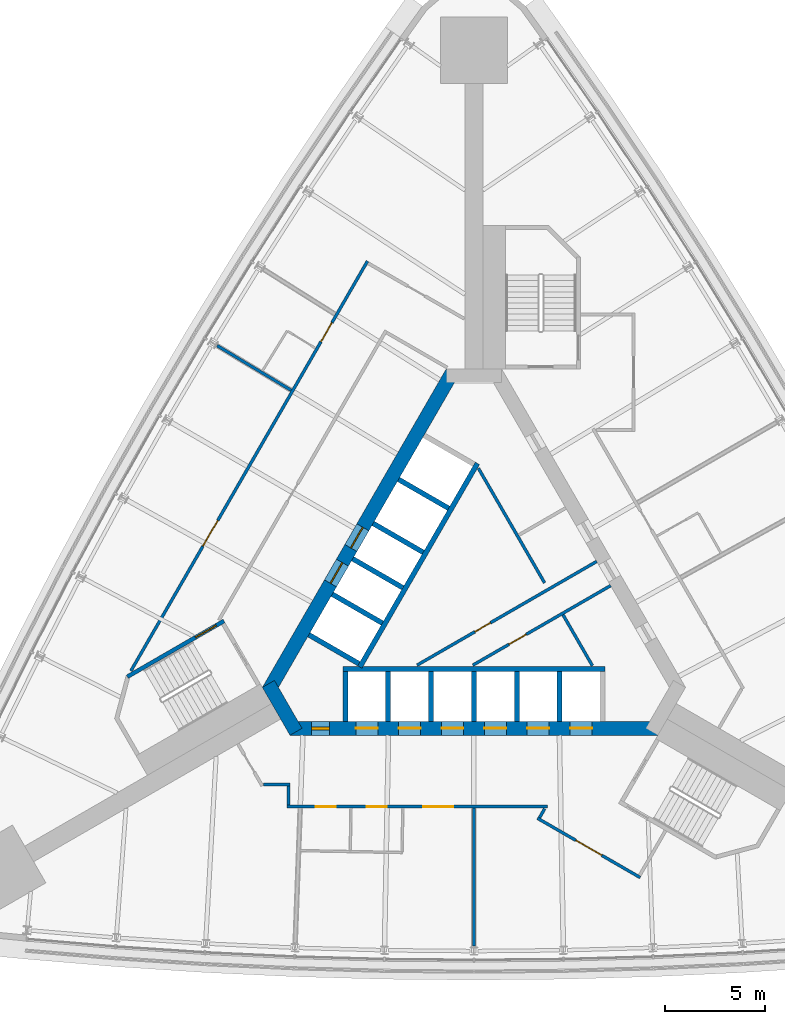
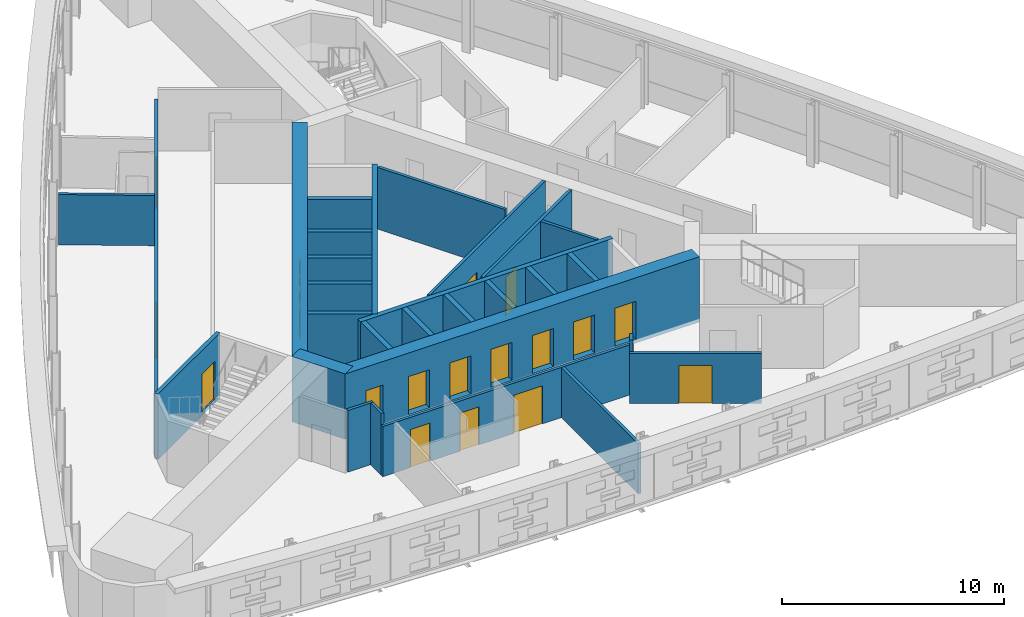
# One storey, part 10 of 14: 29 walls, 18 doors, 18 openings.
"""IFC4 building model written with IfcOpenShell, lengths in metres."""

from ifc_helpers import new_model, si_unit, direction, frame, frame_2d, origin, place, context, subcontext, project, spatial, rectangle, extrude, material, layer, layer_set, type_object, element, fill, save


model = new_model("IFC4")

# Units and contexts
model_context = context("Model", 3, precision=1e-05, world=origin(), true_north=direction((0.0, 1.0)))
body_context = subcontext(model_context, "Body", "Model", "MODEL_VIEW")
ifc_project = project(units=[si_unit("LENGTHUNIT", "METRE"), si_unit("AREAUNIT", "SQUARE_METRE"), si_unit("VOLUMEUNIT", "CUBIC_METRE"), si_unit("PLANEANGLEUNIT", "RADIAN"), si_unit("MASSUNIT", "GRAM", prefix="KILO")], contexts=[model_context])

# Site, building, storey
site_placement = place(None, origin())
site = spatial("IfcSite", under=ifc_project, at=site_placement, CompositionType="ELEMENT")
building_placement = place(site_placement, origin())
building = spatial("IfcBuilding", under=site, at=building_placement, Name="Noor Cloister Tower", CompositionType="ELEMENT")
storey_placement = place(building_placement, frame((0.0, 0.0, 38.39990234375)))
storey = spatial("IfcBuildingStorey", under=building, at=storey_placement, Name="L09", CompositionType="ELEMENT", Elevation=38.39990234375)

# Wall, opening, door
ifc_material_1 = material(Name="Concrete C30/37", Category="concrete")
ifc_layer_1 = layer(ifc_material_1, 0.14990234375)
ifc_layer_set_1 = layer_set([ifc_layer_1], Name="Core partition 150 C30/37")
wall_type_1 = type_object("IfcWallType", Name="Core partition 150 C30/37", PredefinedType="PARTITIONING", material=ifc_layer_set_1)
wall_1_placement = place(storey_placement, frame((-2.8544921875, -3.4130859375, 0.0), z_axis=(0.0, 0.0, 1.0), x_axis=(0.866030102318, 0.499991861813, 0.0)))
wall_1 = element("IfcWall", 1, at=wall_1_placement, inside=storey, type_object=wall_type_1, Name="Core room partition L09 1", PredefinedType="PARTITIONING", context=body_context, shape_type="SweptSolid", body=[
    extrude(rectangle(XDim=10.406982421875, YDim=0.14990234375, at=frame_2d((5.20361328125, 0.0))), origin(), (0.0, 0.0, 1.0), 3.400146484375),
])
opening_1_placement = place(wall_1_placement, frame((3.3544921875, 0.0, 0.0)))
opening_1 = element("IfcOpeningElement", 2, at=opening_1_placement, cuts=wall_1, Name="Opening L09-906", PredefinedType="OPENING", context=body_context, shape_type="SweptSolid", body=[
    extrude(rectangle(XDim=0.89990234375, YDim=2.10009765625, at=frame_2d((0.449951171875, 1.050048828125))), frame((0.0, 0.0849609375, 0.0), z_axis=(0.0, -1.0, 0.0), x_axis=(1.0, 0.0, 0.0)), (0.0, 0.0, 1.0), 0.169921875),
])
ifc_material_2 = material(Name="Steel", Category="steel")
door_type_1 = type_object("IfcDoorType", Name="Core door 900 x 2100 FD120", OperationType="SINGLE_SWING_LEFT", PredefinedType="DOOR", material=ifc_material_2)
door_1_placement = place(opening_1_placement, origin())
door_1 = element("IfcDoor", 3, at=door_1_placement, inside=storey, type_object=door_type_1, Name="Core door 6 L09", OperationType="SINGLE_SWING_RIGHT", OverallHeight=2.10009765625, OverallWidth=0.89990234375, PredefinedType="DOOR", context=body_context, shape_type="SweptSolid", body=[
    extrude(rectangle(XDim=0.89990234375, YDim=2.10009765625, at=frame_2d((0.449951171875, 1.050048828125))), frame((0.0, 0.02490234375, 0.0), z_axis=(0.0, -1.0, 0.0), x_axis=(1.0, 0.0, 0.0)), (0.0, 0.0, 1.0), 0.050048828125),
])
fill(opening_1, door_1)

# Wall
wall_2_placement = place(storey_placement, frame((5.944091796875, -3.439208984375, 0.0), z_axis=(0.0, 0.0, 1.0), x_axis=(-0.499997367627, 0.86602692358, 0.0)))
element("IfcWall", 4, at=wall_2_placement, inside=storey, type_object=wall_type_1, Name="Core room partition L09 2", PredefinedType="PARTITIONING", context=body_context, shape_type="SweptSolid", body=[
    extrude(rectangle(XDim=2.94677734375, YDim=0.14990234375, at=frame_2d((1.473388671875, 0.0))), origin(), (0.0, 0.0, 1.0), 3.400146484375),
])

# Wall, opening, door
wall_3_placement = place(storey_placement, frame((-0.054443359375, -3.4130859375, 0.0), z_axis=(0.0, 0.0, 1.0), x_axis=(0.866026668906, 0.499997808738, 0.0)))
wall_3 = element("IfcWall", 5, at=wall_3_placement, inside=storey, type_object=wall_type_1, Name="Core room partition L09 3", PredefinedType="PARTITIONING", context=body_context, shape_type="SweptSolid", body=[
    extrude(rectangle(XDim=7.98193359375, YDim=0.14990234375, at=frame_2d((3.990966796875, 0.0))), origin(), (0.0, 0.0, 1.0), 3.400146484375),
])
opening_2_placement = place(wall_3_placement, frame((2.092041015625, 0.0, 0.0)))
opening_2 = element("IfcOpeningElement", 6, at=opening_2_placement, cuts=wall_3, Name="Opening L09-905", PredefinedType="OPENING", context=body_context, shape_type="SweptSolid", body=[
    extrude(rectangle(XDim=1.0, YDim=2.10009765625, at=frame_2d((0.5, 1.050048828125))), frame((0.0, 0.0849609375, 0.0), z_axis=(0.0, -1.0, 0.0), x_axis=(1.0, 0.0, 0.0)), (0.0, 0.0, 1.0), 0.169921875),
])
ifc_material_3 = material(Name="Steel", Category="steel")
door_type_2 = type_object("IfcDoorType", Name="Core door 1000 x 2100 FD60", OperationType="SINGLE_SWING_LEFT", PredefinedType="DOOR", material=ifc_material_3)
door_2_placement = place(opening_2_placement, origin())
door_2 = element("IfcDoor", 7, at=door_2_placement, inside=storey, type_object=door_type_2, Name="Core door 5 L09", OperationType="SINGLE_SWING_LEFT", OverallHeight=2.10009765625, OverallWidth=1.0, PredefinedType="DOOR", context=body_context, shape_type="SweptSolid", body=[
    extrude(rectangle(XDim=1.0, YDim=2.10009765625, at=frame_2d((0.5, 1.050048828125))), frame((0.0, 0.02490234375, 0.0), z_axis=(0.0, -1.0, 0.0), x_axis=(1.0, 0.0, 0.0)), (0.0, 0.0, 1.0), 0.050048828125),
])
fill(opening_2, door_2)

# Wall
wall_4_placement = place(storey_placement, frame((3.5458984375, 0.715087890625, 0.0), z_axis=(0.0, 0.0, 1.0), x_axis=(-0.50002895357, 0.866008686788, 0.0)))
element("IfcWall", 8, at=wall_4_placement, inside=storey, type_object=wall_type_1, Name="Core room partition L09 4", PredefinedType="PARTITIONING", context=body_context, shape_type="SweptSolid", body=[
    extrude(rectangle(XDim=6.64208984375, YDim=0.14990234375, at=frame_2d((3.321044921875, 0.0))), origin(), (0.0, 0.0, 1.0), 3.400146484375),
])

# Wall, openings, doors
ifc_material_4 = material(Name="Concrete C80/95", Category="concrete")
ifc_layer_2 = layer(ifc_material_4, 0.699951171875)
ifc_layer_set_2 = layer_set([ifc_layer_2], Name="Core wall 700 C80/95")
wall_type_2 = type_object("IfcWallType", Name="Core wall 700 C80/95", PredefinedType="SHEAR", material=ifc_layer_set_2)
wall_5_placement = place(storey_placement, frame((-9.228759765625, -6.578125, -0.199951171875), z_axis=(0.0, 0.0, 1.0), x_axis=(1.0, 0.0, 0.0)))
wall_5 = element("IfcWall", 9, at=wall_5_placement, inside=storey, type_object=wall_type_2, Name="Core wall L09 1", PredefinedType="SHEAR", context=body_context, shape_type="SweptSolid", body=[
    extrude(rectangle(XDim=18.45751953125, YDim=0.699951171875, at=frame_2d((9.228759765625, 0.0))), origin(), (0.0, 0.0, 1.0), 3.60009765625),
])
opening_3_placement = place(wall_5_placement, frame((3.3037109375, 0.0, 0.199951171875)))
opening_3 = element("IfcOpeningElement", 10, at=opening_3_placement, cuts=wall_5, Name="Opening L09-LR1", PredefinedType="OPENING", context=body_context, shape_type="SweptSolid", body=[
    extrude(rectangle(XDim=1.10009765625, YDim=2.10009765625, at=frame_2d((0.550048828125, 1.050048828125))), frame((0.0, 0.35986328125, 0.0), z_axis=(0.0, -1.0, 0.0), x_axis=(1.0, 0.0, 0.0)), (0.0, 0.0, 1.0), 0.719970703125),
])
opening_4_placement = place(wall_5_placement, frame((5.45361328125, 0.0, 0.199951171875)))
opening_4 = element("IfcOpeningElement", 11, at=opening_4_placement, cuts=wall_5, Name="Opening L09-LR2", PredefinedType="OPENING", context=body_context, shape_type="SweptSolid", body=[
    extrude(rectangle(XDim=1.10009765625, YDim=2.10009765625, at=frame_2d((0.550048828125, 1.050048828125))), frame((0.0, 0.35986328125, 0.0), z_axis=(0.0, -1.0, 0.0), x_axis=(1.0, 0.0, 0.0)), (0.0, 0.0, 1.0), 0.719970703125),
])
opening_5_placement = place(wall_5_placement, frame((7.603759765625, 0.0, 0.199951171875)))
opening_5 = element("IfcOpeningElement", 12, at=opening_5_placement, cuts=wall_5, Name="Opening L09-LR3", PredefinedType="OPENING", context=body_context, shape_type="SweptSolid", body=[
    extrude(rectangle(XDim=1.10009765625, YDim=2.10009765625, at=frame_2d((0.550048828125, 1.050048828125))), frame((0.0, 0.35986328125, 0.0), z_axis=(0.0, -1.0, 0.0), x_axis=(1.0, 0.0, 0.0)), (0.0, 0.0, 1.0), 0.719970703125),
])
opening_6_placement = place(wall_5_placement, frame((9.753662109375, 0.0, 0.199951171875)))
opening_6 = element("IfcOpeningElement", 13, at=opening_6_placement, cuts=wall_5, Name="Opening L09-LR4", PredefinedType="OPENING", context=body_context, shape_type="SweptSolid", body=[
    extrude(rectangle(XDim=1.10009765625, YDim=2.10009765625, at=frame_2d((0.550048828125, 1.050048828125))), frame((0.0, 0.35986328125, 0.0), z_axis=(0.0, -1.0, 0.0), x_axis=(1.0, 0.0, 0.0)), (0.0, 0.0, 1.0), 0.719970703125),
])
opening_7_placement = place(wall_5_placement, frame((11.90380859375, 0.0, 0.199951171875)))
opening_7 = element("IfcOpeningElement", 14, at=opening_7_placement, cuts=wall_5, Name="Opening L09-LR5", PredefinedType="OPENING", context=body_context, shape_type="SweptSolid", body=[
    extrude(rectangle(XDim=1.10009765625, YDim=2.10009765625, at=frame_2d((0.550048828125, 1.050048828125))), frame((0.0, 0.35986328125, 0.0), z_axis=(0.0, -1.0, 0.0), x_axis=(1.0, 0.0, 0.0)), (0.0, 0.0, 1.0), 0.719970703125),
])
opening_8_placement = place(wall_5_placement, frame((14.0537109375, 0.0, 0.199951171875)))
opening_8 = element("IfcOpeningElement", 15, at=opening_8_placement, cuts=wall_5, Name="Opening L09-LR6", PredefinedType="OPENING", context=body_context, shape_type="SweptSolid", body=[
    extrude(rectangle(XDim=1.10009765625, YDim=2.10009765625, at=frame_2d((0.550048828125, 1.050048828125))), frame((0.0, 0.35986328125, 0.0), z_axis=(0.0, -1.0, 0.0), x_axis=(1.0, 0.0, 0.0)), (0.0, 0.0, 1.0), 0.719970703125),
])
opening_9_placement = place(wall_5_placement, frame((1.078857421875, 0.0, 0.199951171875)))
opening_9 = element("IfcOpeningElement", 16, at=opening_9_placement, cuts=wall_5, Name="Opening L09-907", PredefinedType="OPENING", context=body_context, shape_type="SweptSolid", body=[
    extrude(rectangle(XDim=0.89990234375, YDim=2.10009765625, at=frame_2d((0.449951171875, 1.050048828125))), frame((0.0, 0.35986328125, 0.0), z_axis=(0.0, -1.0, 0.0), x_axis=(1.0, 0.0, 0.0)), (0.0, 0.0, 1.0), 0.719970703125),
])
ifc_material_5 = material(Name="Steel", Category="steel")
door_type_3 = type_object("IfcDoorType", Name="Core door 900 x 2100 FD60", OperationType="SINGLE_SWING_LEFT", PredefinedType="DOOR", material=ifc_material_5)
door_3_placement = place(opening_9_placement, origin())
door_3 = element("IfcDoor", 17, at=door_3_placement, inside=storey, type_object=door_type_3, Name="Core door 7 L09", OperationType="SINGLE_SWING_LEFT", OverallHeight=2.10009765625, OverallWidth=0.89990234375, PredefinedType="DOOR", context=body_context, shape_type="SweptSolid", body=[
    extrude(rectangle(XDim=0.89990234375, YDim=2.10009765625, at=frame_2d((0.449951171875, 1.050048828125))), frame((0.0, 0.074951171875, 0.0), z_axis=(0.0, -1.0, 0.0), x_axis=(1.0, 0.0, 0.0)), (0.0, 0.0, 1.0), 0.14990234375),
])
fill(opening_9, door_3)
ifc_material_6 = material(Name="Stainless steel", Category="steel")
door_type_4 = type_object("IfcDoorType", Name="Lift landing door 1100 x 2100", OperationType="DOUBLE_DOOR_SLIDING", PredefinedType="DOOR", material=ifc_material_6)
door_4_placement = place(opening_3_placement, origin())
door_4 = element("IfcDoor", 18, at=door_4_placement, inside=storey, type_object=door_type_4, Name="Landing door LR1 L09", OperationType="DOUBLE_DOOR_SLIDING", OverallHeight=2.10009765625, OverallWidth=1.10009765625, PredefinedType="DOOR", context=body_context, shape_type="SweptSolid", body=[
    extrude(rectangle(XDim=1.10009765625, YDim=2.10009765625, at=frame_2d((0.550048828125, 1.050048828125))), frame((0.0, 0.02490234375, 0.0), z_axis=(0.0, -1.0, 0.0), x_axis=(1.0, 0.0, 0.0)), (0.0, 0.0, 1.0), 0.050048828125),
])
fill(opening_3, door_4)
door_5_placement = place(opening_4_placement, origin())
door_5 = element("IfcDoor", 19, at=door_5_placement, inside=storey, type_object=door_type_4, Name="Landing door LR2 L09", OperationType="DOUBLE_DOOR_SLIDING", OverallHeight=2.10009765625, OverallWidth=1.10009765625, PredefinedType="DOOR", context=body_context, shape_type="SweptSolid", body=[
    extrude(rectangle(XDim=1.10009765625, YDim=2.10009765625, at=frame_2d((0.550048828125, 1.050048828125))), frame((0.0, 0.02490234375, 0.0), z_axis=(0.0, -1.0, 0.0), x_axis=(1.0, 0.0, 0.0)), (0.0, 0.0, 1.0), 0.050048828125),
])
fill(opening_4, door_5)
door_6_placement = place(opening_5_placement, origin())
door_6 = element("IfcDoor", 20, at=door_6_placement, inside=storey, type_object=door_type_4, Name="Landing door LR3 L09", OperationType="DOUBLE_DOOR_SLIDING", OverallHeight=2.10009765625, OverallWidth=1.10009765625, PredefinedType="DOOR", context=body_context, shape_type="SweptSolid", body=[
    extrude(rectangle(XDim=1.10009765625, YDim=2.10009765625, at=frame_2d((0.550048828125, 1.050048828125))), frame((0.0, 0.02490234375, 0.0), z_axis=(0.0, -1.0, 0.0), x_axis=(1.0, 0.0, 0.0)), (0.0, 0.0, 1.0), 0.050048828125),
])
fill(opening_5, door_6)
door_7_placement = place(opening_6_placement, origin())
door_7 = element("IfcDoor", 21, at=door_7_placement, inside=storey, type_object=door_type_4, Name="Landing door LR4 L09", OperationType="DOUBLE_DOOR_SLIDING", OverallHeight=2.10009765625, OverallWidth=1.10009765625, PredefinedType="DOOR", context=body_context, shape_type="SweptSolid", body=[
    extrude(rectangle(XDim=1.10009765625, YDim=2.10009765625, at=frame_2d((0.550048828125, 1.050048828125))), frame((0.0, 0.02490234375, 0.0), z_axis=(0.0, -1.0, 0.0), x_axis=(1.0, 0.0, 0.0)), (0.0, 0.0, 1.0), 0.050048828125),
])
fill(opening_6, door_7)
door_8_placement = place(opening_7_placement, origin())
door_8 = element("IfcDoor", 22, at=door_8_placement, inside=storey, type_object=door_type_4, Name="Landing door LR5 L09", OperationType="DOUBLE_DOOR_SLIDING", OverallHeight=2.10009765625, OverallWidth=1.10009765625, PredefinedType="DOOR", context=body_context, shape_type="SweptSolid", body=[
    extrude(rectangle(XDim=1.10009765625, YDim=2.10009765625, at=frame_2d((0.550048828125, 1.050048828125))), frame((0.0, 0.02490234375, 0.0), z_axis=(0.0, -1.0, 0.0), x_axis=(1.0, 0.0, 0.0)), (0.0, 0.0, 1.0), 0.050048828125),
])
fill(opening_7, door_8)
door_9_placement = place(opening_8_placement, origin())
door_9 = element("IfcDoor", 23, at=door_9_placement, inside=storey, type_object=door_type_4, Name="Landing door LR6 L09", OperationType="DOUBLE_DOOR_SLIDING", OverallHeight=2.10009765625, OverallWidth=1.10009765625, PredefinedType="DOOR", context=body_context, shape_type="SweptSolid", body=[
    extrude(rectangle(XDim=1.10009765625, YDim=2.10009765625, at=frame_2d((0.550048828125, 1.050048828125))), frame((0.0, 0.02490234375, 0.0), z_axis=(0.0, -1.0, 0.0), x_axis=(1.0, 0.0, 0.0)), (0.0, 0.0, 1.0), 0.050048828125),
])
fill(opening_8, door_9)

wall_6_placement = place(storey_placement, frame((-1.08251953125, 11.281494140625, -0.199951171875), z_axis=(0.0, 0.0, 1.0), x_axis=(-0.500001446645, -0.866024568562, 0.0)))
wall_6 = element("IfcWall", 24, at=wall_6_placement, inside=storey, type_object=wall_type_2, Name="Core wall L09 5", PredefinedType="SHEAR", context=body_context, shape_type="SweptSolid", body=[
    extrude(rectangle(XDim=18.45751953125, YDim=0.699951171875, at=frame_2d((9.228759765625, 0.0))), origin(), (0.0, 0.0, 1.0), 3.60009765625),
])
opening_10_placement = place(wall_6_placement, frame((8.978759765625, 0.0, 0.199951171875)))
opening_10 = element("IfcOpeningElement", 25, at=opening_10_placement, cuts=wall_6, Name="Opening L09-FF1", PredefinedType="OPENING", context=body_context, shape_type="SweptSolid", body=[
    extrude(rectangle(XDim=1.199951171875, YDim=2.10009765625, at=frame_2d((0.60009765625, 1.050048828125))), frame((0.0, 0.35986328125, 0.0), z_axis=(0.0, -1.0, 0.0), x_axis=(1.0, 0.0, 0.0)), (0.0, 0.0, 1.0), 0.719970703125),
])
opening_11_placement = place(wall_6_placement, frame((11.02880859375, 0.0, 0.199951171875)))
opening_11 = element("IfcOpeningElement", 26, at=opening_11_placement, cuts=wall_6, Name="Opening L09-FF2", PredefinedType="OPENING", context=body_context, shape_type="SweptSolid", body=[
    extrude(rectangle(XDim=1.199951171875, YDim=2.10009765625, at=frame_2d((0.60009765625, 1.050048828125))), frame((0.0, 0.35986328125, 0.0), z_axis=(0.0, -1.0, 0.0), x_axis=(1.0, 0.0, 0.0)), (0.0, 0.0, 1.0), 0.719970703125),
])
ifc_material_7 = material(Name="Stainless steel", Category="steel")
door_type_5 = type_object("IfcDoorType", Name="Lift landing door 1200 x 2100", OperationType="DOUBLE_DOOR_SLIDING", PredefinedType="DOOR", material=ifc_material_7)
door_10_placement = place(opening_10_placement, origin())
door_10 = element("IfcDoor", 27, at=door_10_placement, inside=storey, type_object=door_type_5, Name="Landing door FF1 L09", OperationType="DOUBLE_DOOR_SLIDING", OverallHeight=2.10009765625, OverallWidth=1.199951171875, PredefinedType="DOOR", context=body_context, shape_type="SweptSolid", body=[
    extrude(rectangle(XDim=1.199951171875, YDim=2.10009765625, at=frame_2d((0.60009765625, 1.050048828125))), frame((0.0, 0.02490234375, 0.0), z_axis=(0.0, -1.0, 0.0), x_axis=(1.0, 0.0, 0.0)), (0.0, 0.0, 1.0), 0.050048828125),
])
fill(opening_10, door_10)
door_11_placement = place(opening_11_placement, origin())
door_11 = element("IfcDoor", 28, at=door_11_placement, inside=storey, type_object=door_type_5, Name="Landing door FF2 L09", OperationType="DOUBLE_DOOR_SLIDING", OverallHeight=2.10009765625, OverallWidth=1.199951171875, PredefinedType="DOOR", context=body_context, shape_type="SweptSolid", body=[
    extrude(rectangle(XDim=1.199951171875, YDim=2.10009765625, at=frame_2d((0.60009765625, 1.050048828125))), frame((0.0, 0.02490234375, 0.0), z_axis=(0.0, -1.0, 0.0), x_axis=(1.0, 0.0, 0.0)), (0.0, 0.0, 1.0), 0.050048828125),
])
fill(opening_11, door_11)

# Wall
wall_7_placement = place(storey_placement, frame((-10.311279296875, -4.353271484375, -0.199951171875), z_axis=(0.0, 0.0, 1.0), x_axis=(0.500042739161, -0.866000726912, 0.0)))
element("IfcWall", 29, at=wall_7_placement, inside=storey, type_object=wall_type_2, Name="Core wall L09 6", PredefinedType="SHEAR", context=body_context, shape_type="SweptSolid", body=[
    extrude(rectangle(XDim=2.771240234375, YDim=0.699951171875, at=frame_2d((1.3857421875, 0.0))), origin(), (0.0, 0.0, 1.0), 3.60009765625),
])

# Wall, openings, doors
ifc_material_8 = material(Name="Gypsum board partition on steel studs, 150 mm", Category="steel")
ifc_layer_3 = layer(ifc_material_8, 0.14990234375)
ifc_layer_set_3 = layer_set([ifc_layer_3], Name="Flat wall 150")
wall_type_3 = type_object("IfcWallType", Name="Flat wall 150", PredefinedType="PARTITIONING", material=ifc_layer_set_3)
wall_8_placement = place(storey_placement, frame((-17.208251953125, -3.69921875, 0.0), z_axis=(0.0, 0.0, 1.0), x_axis=(0.499997567621, 0.866026808115, 0.0)))
wall_8 = element("IfcWall", 30, at=wall_8_placement, inside=storey, type_object=wall_type_3, Name="Flat wall 150 L09 001", PredefinedType="PARTITIONING", context=body_context, shape_type="SweptSolid", body=[
    extrude(rectangle(XDim=23.736328125, YDim=0.14990234375, at=frame_2d((11.8681640625, 0.0))), origin(), (0.0, 0.0, 1.0), 2.76806640625),
])
opening_12_placement = place(wall_8_placement, frame((19.069580078125, 0.0, 0.0)))
opening_12 = element("IfcOpeningElement", 31, at=opening_12_placement, cuts=wall_8, Name="Opening L09-001", PredefinedType="OPENING", context=body_context, shape_type="SweptSolid", body=[
    extrude(rectangle(XDim=1.10009765625, YDim=2.10009765625, at=frame_2d((0.550048828125, 1.050048828125))), frame((0.0, 0.0849609375, 0.0), z_axis=(0.0, -1.0, 0.0), x_axis=(1.0, 0.0, 0.0)), (0.0, 0.0, 1.0), 0.169921875),
])
opening_13_placement = place(wall_8_placement, frame((7.224853515625, 0.0, 0.0)))
opening_13 = element("IfcOpeningElement", 32, at=opening_13_placement, cuts=wall_8, Name="Opening L09-002", PredefinedType="OPENING", context=body_context, shape_type="SweptSolid", body=[
    extrude(rectangle(XDim=1.5, YDim=2.10009765625, at=frame_2d((0.75, 1.050048828125))), frame((0.0, 0.0849609375, 0.0), z_axis=(0.0, -1.0, 0.0), x_axis=(1.0, 0.0, 0.0)), (0.0, 0.0, 1.0), 0.169921875),
])
ifc_material_9 = material(Name="Timber door leaf with steel frame", Category="steel")
door_type_6 = type_object("IfcDoorType", Name="Double door 1500 FD60", OperationType="NOTDEFINED", PredefinedType="DOOR", material=ifc_material_9)
door_12_placement = place(opening_13_placement, origin())
door_12 = element("IfcDoor", 33, at=door_12_placement, inside=storey, type_object=door_type_6, Name="Double door 1500 L09-002", OperationType="DOUBLE_DOOR_SINGLE_SWING", OverallHeight=2.10009765625, OverallWidth=1.5, PredefinedType="DOOR", context=body_context, shape_type="SweptSolid", body=[
    extrude(rectangle(XDim=1.5, YDim=2.10009765625, at=frame_2d((0.75, 1.050048828125))), frame((0.0, 0.02490234375, 0.0), z_axis=(0.0, -1.0, 0.0), x_axis=(1.0, 0.0, 0.0)), (0.0, 0.0, 1.0), 0.050048828125),
])
fill(opening_13, door_12)
ifc_material_10 = material(Name="Timber door leaf with steel frame", Category="steel")
door_type_7 = type_object("IfcDoorType", Name="Resident room door 1100", OperationType="NOTDEFINED", PredefinedType="DOOR", material=ifc_material_10)
door_13_placement = place(opening_12_placement, origin())
door_13 = element("IfcDoor", 34, at=door_13_placement, inside=storey, type_object=door_type_7, Name="Resident room door 1100 L09-001", OperationType="SINGLE_SWING_RIGHT", OverallHeight=2.10009765625, OverallWidth=1.10009765625, PredefinedType="DOOR", context=body_context, shape_type="SweptSolid", body=[
    extrude(rectangle(XDim=1.10009765625, YDim=2.10009765625, at=frame_2d((0.550048828125, 1.050048828125))), frame((0.0, 0.02490234375, 0.0), z_axis=(0.0, -1.0, 0.0), x_axis=(1.0, 0.0, 0.0)), (0.0, 0.0, 1.0), 0.050048828125),
])
fill(opening_12, door_13)

wall_9_placement = place(storey_placement, frame((3.68896484375, -10.503173828125, 0.0), z_axis=(0.0, 0.0, 1.0), x_axis=(-1.0, 0.0, 0.0)))
wall_9 = element("IfcWall", 35, at=wall_9_placement, inside=storey, type_object=wall_type_3, Name="Flat wall 150 L09 004", PredefinedType="PARTITIONING", context=body_context, shape_type="SweptSolid", body=[
    extrude(rectangle(XDim=13.067626953125, YDim=0.14990234375, at=frame_2d((6.53369140625, 0.0))), origin(), (0.0, 0.0, 1.0), 2.76806640625),
])
opening_14_placement = place(wall_9_placement, frame((10.61669921875, 0.0, 0.0)))
opening_14 = element("IfcOpeningElement", 36, at=opening_14_placement, cuts=wall_9, Name="Opening L09-006", PredefinedType="OPENING", context=body_context, shape_type="SweptSolid", body=[
    extrude(rectangle(XDim=1.0, YDim=2.10009765625, at=frame_2d((0.5, 1.050048828125))), frame((0.0, 0.0849609375, 0.0), z_axis=(0.0, -1.0, 0.0), x_axis=(1.0, 0.0, 0.0)), (0.0, 0.0, 1.0), 0.169921875),
])
opening_15_placement = place(wall_9_placement, frame((8.054443359375, 0.0, 0.0)))
opening_15 = element("IfcOpeningElement", 37, at=opening_15_placement, cuts=wall_9, Name="Opening L09-007", PredefinedType="OPENING", context=body_context, shape_type="SweptSolid", body=[
    extrude(rectangle(XDim=1.0, YDim=2.10009765625, at=frame_2d((0.5, 1.050048828125))), frame((0.0, 0.0849609375, 0.0), z_axis=(0.0, -1.0, 0.0), x_axis=(1.0, 0.0, 0.0)), (0.0, 0.0, 1.0), 0.169921875),
])
opening_16_placement = place(wall_9_placement, frame((4.734130859375, 0.0, 0.0)))
opening_16 = element("IfcOpeningElement", 38, at=opening_16_placement, cuts=wall_9, Name="Opening L09-008", PredefinedType="OPENING", context=body_context, shape_type="SweptSolid", body=[
    extrude(rectangle(XDim=1.5, YDim=2.10009765625, at=frame_2d((0.75, 1.050048828125))), frame((0.0, 0.0849609375, 0.0), z_axis=(0.0, -1.0, 0.0), x_axis=(1.0, 0.0, 0.0)), (0.0, 0.0, 1.0), 0.169921875),
])
ifc_material_11 = material(Name="Timber door leaf with steel frame", Category="steel")
door_type_8 = type_object("IfcDoorType", Name="Accessible WC door 1000", OperationType="NOTDEFINED", PredefinedType="DOOR", material=ifc_material_11)
door_14_placement = place(opening_14_placement, origin())
door_14 = element("IfcDoor", 39, at=door_14_placement, inside=storey, type_object=door_type_8, Name="Accessible WC door 1000 L09-006", OperationType="SINGLE_SWING_RIGHT", OverallHeight=2.10009765625, OverallWidth=1.0, PredefinedType="DOOR", context=body_context, shape_type="SweptSolid", body=[
    extrude(rectangle(XDim=1.0, YDim=2.10009765625, at=frame_2d((0.5, 1.050048828125))), frame((0.0, 0.02490234375, 0.0), z_axis=(0.0, -1.0, 0.0), x_axis=(1.0, 0.0, 0.0)), (0.0, 0.0, 1.0), 0.050048828125),
])
fill(opening_14, door_14)
door_15_placement = place(opening_16_placement, origin())
door_15 = element("IfcDoor", 40, at=door_15_placement, inside=storey, type_object=door_type_6, Name="Double door 1500 L09-008", OperationType="DOUBLE_DOOR_SINGLE_SWING", OverallHeight=2.10009765625, OverallWidth=1.5, PredefinedType="DOOR", context=body_context, shape_type="SweptSolid", body=[
    extrude(rectangle(XDim=1.5, YDim=2.10009765625, at=frame_2d((0.75, 1.050048828125))), frame((0.0, 0.02490234375, 0.0), z_axis=(0.0, -1.0, 0.0), x_axis=(1.0, 0.0, 0.0)), (0.0, 0.0, 1.0), 0.050048828125),
])
fill(opening_16, door_15)
ifc_material_12 = material(Name="Timber door leaf with steel frame", Category="steel")
door_type_9 = type_object("IfcDoorType", Name="Interior door 1000 FD60", OperationType="NOTDEFINED", PredefinedType="DOOR", material=ifc_material_12)
door_16_placement = place(opening_15_placement, origin())
door_16 = element("IfcDoor", 41, at=door_16_placement, inside=storey, type_object=door_type_9, Name="Interior door 1000 L09-007", OperationType="SINGLE_SWING_RIGHT", OverallHeight=2.10009765625, OverallWidth=1.0, PredefinedType="DOOR", context=body_context, shape_type="SweptSolid", body=[
    extrude(rectangle(XDim=1.0, YDim=2.10009765625, at=frame_2d((0.5, 1.050048828125))), frame((0.0, 0.02490234375, 0.0), z_axis=(0.0, -1.0, 0.0), x_axis=(1.0, 0.0, 0.0)), (0.0, 0.0, 1.0), 0.050048828125),
])
fill(opening_15, door_16)

# Wall, opening, door
wall_10_placement = place(storey_placement, frame((8.341064453125, -14.065673828125, 0.0), z_axis=(0.0, 0.0, 1.0), x_axis=(-0.866017493347, 0.500013701029, 0.0)))
wall_10 = element("IfcWall", 42, at=wall_10_placement, inside=storey, type_object=wall_type_3, Name="Flat wall 150 L09 006", PredefinedType="PARTITIONING", context=body_context, shape_type="SweptSolid", body=[
    extrude(rectangle(XDim=5.949951171875, YDim=0.14990234375, at=frame_2d((2.97509765625, 0.0))), origin(), (0.0, 0.0, 1.0), 2.76806640625),
])
opening_17_placement = place(wall_10_placement, frame((2.22509765625, 0.0, 0.0)))
opening_17 = element("IfcOpeningElement", 43, at=opening_17_placement, cuts=wall_10, Name="Opening L09-010", PredefinedType="OPENING", context=body_context, shape_type="SweptSolid", body=[
    extrude(rectangle(XDim=1.5, YDim=2.10009765625, at=frame_2d((0.75, 1.050048828125))), frame((0.0, 0.0849609375, 0.0), z_axis=(0.0, -1.0, 0.0), x_axis=(1.0, 0.0, 0.0)), (0.0, 0.0, 1.0), 0.169921875),
])
door_17_placement = place(opening_17_placement, origin())
door_17 = element("IfcDoor", 44, at=door_17_placement, inside=storey, type_object=door_type_6, Name="Double door 1500 L09-010", OperationType="DOUBLE_DOOR_SINGLE_SWING", OverallHeight=2.10009765625, OverallWidth=1.5, PredefinedType="DOOR", context=body_context, shape_type="SweptSolid", body=[
    extrude(rectangle(XDim=1.5, YDim=2.10009765625, at=frame_2d((0.75, 1.050048828125))), frame((0.0, 0.02490234375, 0.0), z_axis=(0.0, -1.0, 0.0), x_axis=(1.0, 0.0, 0.0)), (0.0, 0.0, 1.0), 0.050048828125),
])
fill(opening_17, door_17)

# Walls
wall_11_placement = place(storey_placement, frame((-10.55517578125, -9.4033203125, 0.0), z_axis=(0.0, 0.0, 1.0), x_axis=(1.0, 0.0, 0.0)))
element("IfcWall", 45, at=wall_11_placement, inside=storey, type_object=wall_type_3, Name="Flat wall 150 L09 014", PredefinedType="PARTITIONING", context=body_context, shape_type="SweptSolid", body=[
    extrude(rectangle(XDim=1.326416015625, YDim=0.14990234375, at=frame_2d((0.6630859375, 0.0))), origin(), (0.0, 0.0, 1.0), 3.400146484375),
])
wall_12_placement = place(storey_placement, frame((-9.3037109375, -10.42822265625, 0.0), z_axis=(0.0, 0.0, 1.0), x_axis=(0.0, 1.0, 0.0)))
element("IfcWall", 46, at=wall_12_placement, inside=storey, type_object=wall_type_3, Name="Flat wall 150 L09 015", PredefinedType="PARTITIONING", context=body_context, shape_type="SweptSolid", body=[
    extrude(rectangle(XDim=0.949951171875, YDim=0.14990234375, at=frame_2d((0.47509765625, 0.0))), origin(), (0.0, 0.0, 1.0), 3.400146484375),
])
wall_13_placement = place(storey_placement, frame((3.290771484375, -11.063232421875, 0.0), z_axis=(0.0, 0.0, 1.0), x_axis=(0.499899694197, 0.866083307622, 0.0)))
element("IfcWall", 47, at=wall_13_placement, inside=storey, type_object=wall_type_3, Name="Flat wall 150 L09 016", PredefinedType="PARTITIONING", context=body_context, shape_type="SweptSolid", body=[
    extrude(rectangle(XDim=0.5166015625, YDim=0.14990234375, at=frame_2d((0.25830078125, 0.0))), origin(), (0.0, 0.0, 1.0), 3.400146484375),
])
wall_14_placement = place(storey_placement, frame((0.0, -17.5068359375, 0.0), z_axis=(0.0, 0.0, 1.0), x_axis=(0.0, 1.0, 0.0)))
element("IfcWall", 48, at=wall_14_placement, inside=storey, type_object=wall_type_3, Name="Flat wall 150 L09 019", PredefinedType="PARTITIONING", context=body_context, shape_type="SweptSolid", body=[
    extrude(rectangle(XDim=6.9287109375, YDim=0.14990234375, at=frame_2d((3.46435546875, 0.0))), origin(), (0.0, 0.0, 1.0), 2.76806640625),
])
wall_15_placement = place(storey_placement, frame((-12.882568359375, 12.6162109375, 0.0), z_axis=(0.0, 0.0, 1.0), x_axis=(0.856527594015, -0.51610123105, 0.0)))
element("IfcWall", 49, at=wall_15_placement, inside=storey, type_object=wall_type_3, Name="Flat wall 150 L09 021", PredefinedType="PARTITIONING", context=body_context, shape_type="SweptSolid", body=[
    extrude(rectangle(XDim=4.3359375, YDim=0.14990234375, at=frame_2d((2.16796875, 0.0))), origin(), (0.0, 0.0, 1.0), 2.76806640625),
])
ifc_material_13 = material(Name="Concrete C80/95", Category="concrete")
ifc_layer_4 = layer(ifc_material_13, 0.25)
ifc_layer_set_4 = layer_set([ifc_layer_4], Name="Shaft wall 250 C80/95")
wall_type_4 = type_object("IfcWallType", Name="Shaft wall 250 C80/95", PredefinedType="PARTITIONING", material=ifc_layer_set_4)
for number, where, z_axis, x_axis, name in (
    (50, (-6.449951171875, -6.228271484375, -0.199951171875), (0.0, 0.0, 1.0), (0.0, 1.0, 0.0), "Lift shaft wall L09 S 1"),
    (51, (-4.300048828125, -6.228271484375, -0.199951171875), (0.0, 0.0, 1.0), (0.0, 1.0, 0.0), "Lift shaft wall L09 S 2"),
    (52, (-2.14990234375, -6.228271484375, -0.199951171875), (0.0, 0.0, 1.0), (0.0, 1.0, 0.0), "Lift shaft wall L09 S 3"),
    (53, (0.0, -6.228271484375, -0.199951171875), (0.0, 0.0, 1.0), (0.0, 1.0, 0.0), "Lift shaft wall L09 S 4"),
    (54, (2.14990234375, -6.228271484375, -0.199951171875), (0.0, 0.0, 1.0), (0.0, 1.0, 0.0), "Lift shaft wall L09 S 5"),
    (55, (4.300048828125, -6.228271484375, -0.199951171875), (0.0, 0.0, 1.0), (0.0, 1.0, 0.0), "Lift shaft wall L09 S 6"),
):
    element("IfcWall", number, at=place(storey_placement, frame(where, z_axis=z_axis, x_axis=x_axis)), inside=storey, type_object=wall_type_4, Name=name, PredefinedType="PARTITIONING", context=body_context, shape_type="SweptSolid", body=[
        extrude(rectangle(XDim=2.5, YDim=0.25, at=frame_2d((1.25, 0.0))), origin(), (0.0, 0.0, 1.0), 3.60009765625),
    ])
wall_16_placement = place(storey_placement, frame((-6.574951171875, -3.603271484375, 0.0), z_axis=(0.0, 0.0, 1.0), x_axis=(1.0, 0.0, 0.0)))
element("IfcWall", 56, at=wall_16_placement, inside=storey, type_object=wall_type_4, Name="Lift shaft back wall L09 S", PredefinedType="PARTITIONING", context=body_context, shape_type="SweptSolid", body=[
    extrude(rectangle(XDim=13.14990234375, YDim=0.25, at=frame_2d((6.574951171875, 0.0))), origin(), (0.0, 0.0, 1.0), 3.400146484375),
])
for number, where, z_axis, x_axis, name in (
    (57, (-3.78125, 5.906982421875, -0.199951171875), (0.0, 0.0, 1.0), (0.866032775405, -0.499987231761, 0.0), "Lift shaft wall L09 NW 2"),
    (58, (-5.056396484375, 3.69873046875, -0.199951171875), (0.0, 0.0, 1.0), (0.866032775405, -0.499987231761, 0.0), "Lift shaft wall L09 NW 3"),
    (59, (-6.081298828125, 1.92333984375, -0.199951171875), (0.0, 0.0, 1.0), (0.866032775405, -0.499987231761, 0.0), "Lift shaft wall L09 NW 4"),
    (60, (-7.106201171875, 0.14794921875, -0.199951171875), (0.0, 0.0, 1.0), (0.866032775405, -0.499987231761, 0.0), "Lift shaft wall L09 NW 5"),
    (61, (-8.28125, -1.88720703125, -0.199951171875), (0.0, 0.0, 1.0), (0.866032775405, -0.499987231761, 0.0), "Lift shaft wall L09 NW 6"),
):
    element("IfcWall", number, at=place(storey_placement, frame(where, z_axis=z_axis, x_axis=x_axis)), inside=storey, type_object=wall_type_4, Name=name, PredefinedType="PARTITIONING", context=body_context, shape_type="SweptSolid", body=[
        extrude(rectangle(XDim=2.89990234375, YDim=0.25, at=frame_2d((1.449951171875, 0.0))), origin(), (0.0, 0.0, 1.0), 3.60009765625),
    ])
wall_17_placement = place(storey_placement, frame((0.176025390625, 6.711181640625, 0.0), z_axis=(0.0, 0.0, 1.0), x_axis=(-0.500004227369, -0.866022963098, 0.0)))
element("IfcWall", 62, at=wall_17_placement, inside=storey, type_object=wall_type_4, Name="Lift shaft back wall L09 NW", PredefinedType="PARTITIONING", context=body_context, shape_type="SweptSolid", body=[
    extrude(rectangle(XDim=11.80029296875, YDim=0.25, at=frame_2d((5.900146484375, 0.0))), origin(), (0.0, 0.0, 1.0), 3.400146484375),
])

# Wall, opening, door
ifc_material_14 = material(Name="Concrete C80/95", Category="concrete")
ifc_layer_5 = layer(ifc_material_14, 0.199951171875)
ifc_layer_set_5 = layer_set([ifc_layer_5], Name="Stair enclosure wall 200 C80/95")
wall_type_5 = type_object("IfcWallType", Name="Stair enclosure wall 200 C80/95", PredefinedType="SHEAR", material=ifc_layer_set_5)
wall_18_placement = place(storey_placement, frame((-12.539306640625, -1.194091796875, -0.199951171875), z_axis=(0.0, 0.0, 1.0), x_axis=(-0.866045472092, -0.499965239061, 0.0)))
wall_18 = element("IfcWall", 63, at=wall_18_placement, inside=storey, type_object=wall_type_5, Name="Stair enclosure wall ST2 L09 outer side", PredefinedType="SHEAR", context=body_context, shape_type="SweptSolid", body=[
    extrude(rectangle(XDim=5.60009765625, YDim=0.199951171875, at=frame_2d((2.800048828125, 0.0))), origin(), (0.0, 0.0, 1.0), 3.60009765625),
])
opening_18_placement = place(wall_18_placement, frame((0.449951171875, 0.0, 0.199951171875)))
opening_18 = element("IfcOpeningElement", 64, at=opening_18_placement, cuts=wall_18, Name="Opening L09-ST2C", PredefinedType="OPENING", context=body_context, shape_type="SweptSolid", body=[
    extrude(rectangle(XDim=1.199951171875, YDim=2.10009765625, at=frame_2d((0.60009765625, 1.050048828125))), frame((0.0, 0.10986328125, 0.0), z_axis=(0.0, -1.0, 0.0), x_axis=(1.0, 0.0, 0.0)), (0.0, 0.0, 1.0), 0.219970703125),
])
ifc_material_15 = material(Name="Steel", Category="steel")
door_type_10 = type_object("IfcDoorType", Name="Stair door 1200 x 2100 FD120", OperationType="SINGLE_SWING_LEFT", PredefinedType="DOOR", material=ifc_material_15)
door_18_placement = place(opening_18_placement, origin())
door_18 = element("IfcDoor", 65, at=door_18_placement, inside=storey, type_object=door_type_10, Name="Stair door ST2 L09", OperationType="SINGLE_SWING_LEFT", OverallHeight=2.10009765625, OverallWidth=1.199951171875, PredefinedType="DOOR", context=body_context, shape_type="SweptSolid", body=[
    extrude(rectangle(XDim=1.199951171875, YDim=2.10009765625, at=frame_2d((0.60009765625, 1.050048828125))), frame((0.0, 0.02490234375, 0.0), z_axis=(0.0, -1.0, 0.0), x_axis=(1.0, 0.0, 0.0)), (0.0, 0.0, 1.0), 0.050048828125),
])
fill(opening_18, door_18)

save(model, "model.ifc")
